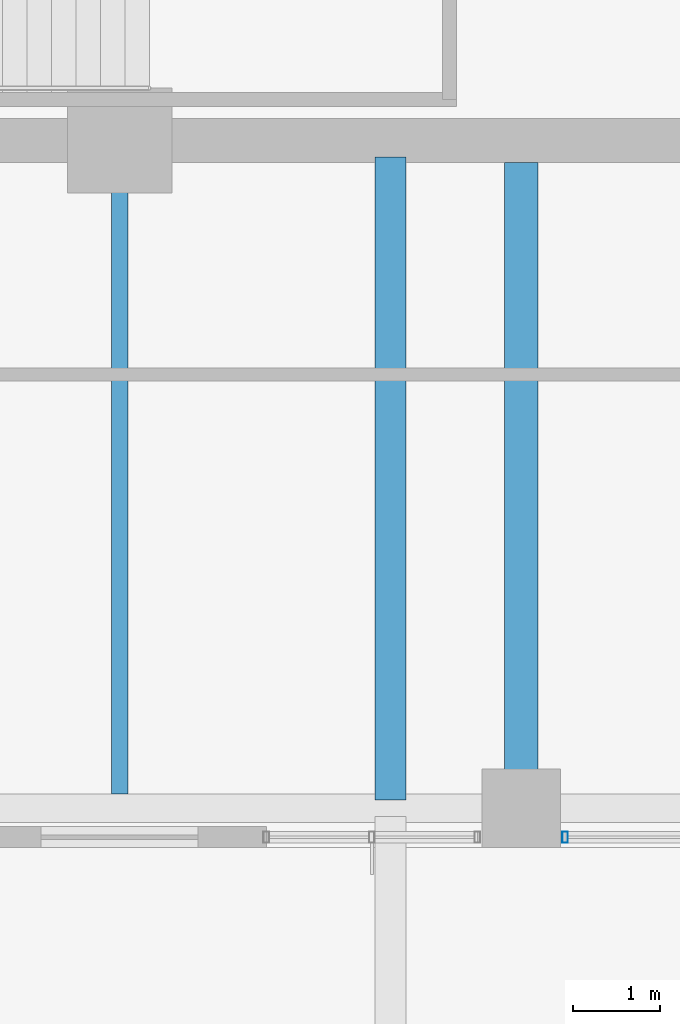
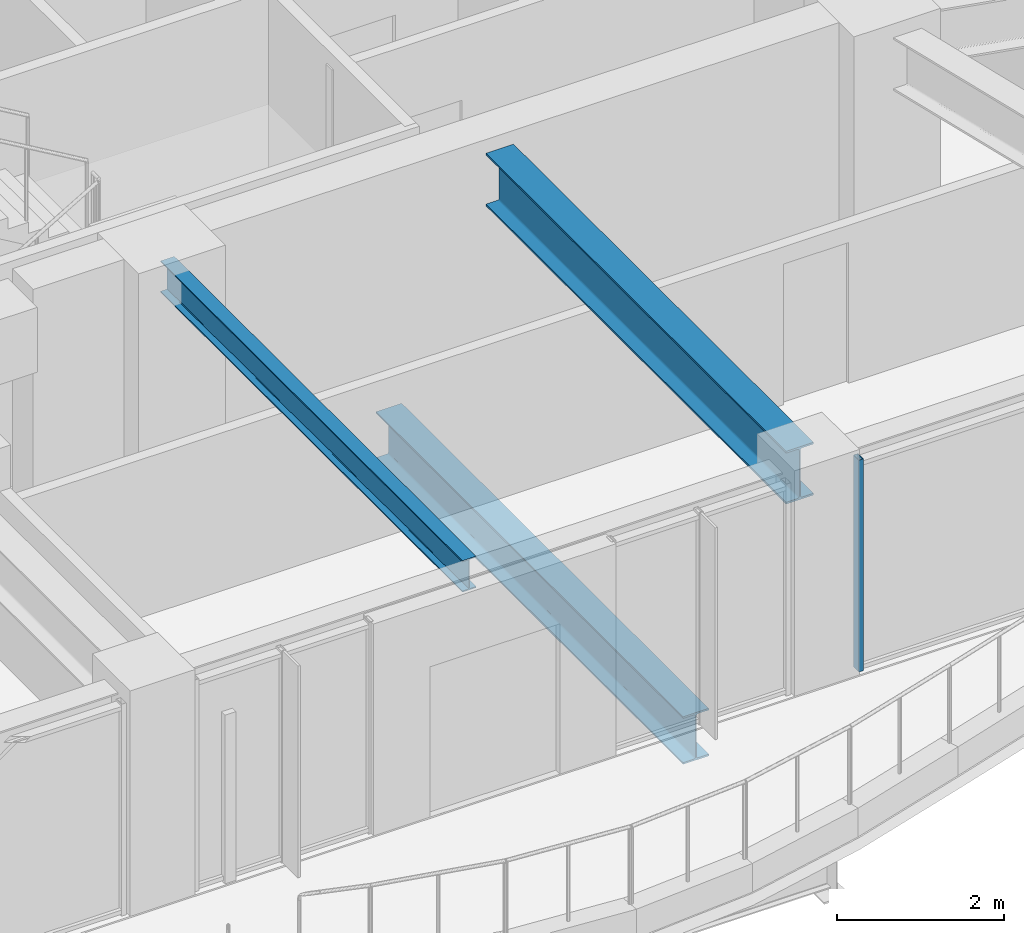
# One storey, part 7 of 31: 3 beams, 1 member, 1 element without a shape of its own.
"""IFC4 building model written with IfcOpenShell, lengths in metres."""

from ifc_helpers import new_model, si_unit, direction, frame, origin, origin_2d, place, context, subcontext, project, spatial, hollow_rectangle, i_section, extrude, material, material_profile, profile_set, type_object, element, aggregate, save


model = new_model("IFC4")

# Units and contexts
model_context = context("Model", 3, precision=1e-05, world=origin(), true_north=direction((0.0, 1.0)))
body_context = subcontext(model_context, "Body", "Model", "MODEL_VIEW")
ifc_project = project(units=[si_unit("LENGTHUNIT", "METRE"), si_unit("AREAUNIT", "SQUARE_METRE"), si_unit("VOLUMEUNIT", "CUBIC_METRE"), si_unit("PLANEANGLEUNIT", "RADIAN"), si_unit("MASSUNIT", "GRAM", prefix="KILO")], contexts=[model_context])

# Site, building, storey
site_placement = place(None, origin())
site = spatial("IfcSite", under=ifc_project, at=site_placement, CompositionType="ELEMENT")
building_placement = place(site_placement, origin())
building = spatial("IfcBuilding", under=site, at=building_placement, Name="Kolvaren Belvedere", CompositionType="ELEMENT")
storey_placement = place(building_placement, frame((0.0, 0.0, 134.89990234375)))
storey = spatial("IfcBuildingStorey", under=building, at=storey_placement, Name="L39", CompositionType="ELEMENT", Elevation=134.89990234375)

# Beams
ifc_material_1 = material(Name="Structural steel ASTM A992 Grade 50", Category="steel")
ifc_material_profile_1 = material_profile(ifc_material_1, i_section(OverallWidth=0.35498046875, OverallDepth=0.696044921875, WebThickness=0.015380859375, FlangeThickness=0.02490234375, FilletRadius=0.02197265625, at=origin_2d()), Name="W27X146")
ifc_profile_set_1 = profile_set([ifc_material_profile_1], Name="Structural steel ASTM A992 Grade 50")
beam_type_1 = type_object("IfcBeamType", Name="BM-GIRD-W27X146", PredefinedType="BEAM", material=ifc_profile_set_1)
beam_1_placement = place(storey_placement, frame((3.10009765625, -10.090087890625, -0.5478515625), z_axis=(0.0, -1.0, 0.0), x_axis=(1.0, 0.0, 0.0)))
element("IfcBeam", 1, at=beam_1_placement, inside=storey, type_object=beam_type_1, Name="L39 Balcony Interior Back-Span Girder BAL-S-2", PredefinedType="BEAM", context=body_context, shape_type="SweptSolid", body=[
    extrude(i_section(OverallWidth=0.35498046875, OverallDepth=0.696044921875, WebThickness=0.015380859375, FlangeThickness=0.02490234375, FilletRadius=0.02197265625, at=origin_2d()), origin(), (0.0, 0.0, 1.0), 7.364990234375),
])
ifc_material_2 = material(Name="Structural steel ASTM A992 Grade 50", Category="steel")
ifc_material_profile_2 = material_profile(ifc_material_2, i_section(OverallWidth=0.381103515625, OverallDepth=0.77294921875, WebThickness=0.0166015625, FlangeThickness=0.027099609375, FilletRadius=0.02392578125, at=origin_2d()), Name="W30X173")
ifc_profile_set_2 = profile_set([ifc_material_profile_2], Name="Structural steel ASTM A992 Grade 50")
beam_type_2 = type_object("IfcBeamType", Name="BM-GIRD-W30X173", PredefinedType="BEAM", material=ifc_profile_set_2)
beam_2_placement = place(storey_placement, frame((4.60009765625, -10.14990234375, 2.713623046875), z_axis=(0.0, -1.0, 0.0), x_axis=(1.0, 0.0, 0.0)))
element("IfcBeam", 2, at=beam_2_placement, inside=storey, type_object=beam_type_2, Name="L39 South Radial Girder P", PredefinedType="BEAM", context=body_context, shape_type="SweptSolid", body=[
    extrude(i_section(OverallWidth=0.381103515625, OverallDepth=0.77294921875, WebThickness=0.0166015625, FlangeThickness=0.027099609375, FilletRadius=0.02392578125, at=origin_2d()), origin(), (0.0, 0.0, 1.0), 7.197509765625),
])
ifc_material_3 = material(Name="Structural steel ASTM A992 Grade 50", Category="steel")
ifc_material_profile_3 = material_profile(ifc_material_3, i_section(OverallWidth=0.19091796875, OverallDepth=0.4599609375, WebThickness=0.010009765625, FlangeThickness=0.01611328125, FilletRadius=0.014892578125, at=origin_2d()), Name="W18X55")
ifc_profile_set_3 = profile_set([ifc_material_profile_3], Name="Structural steel ASTM A992 Grade 50")
beam_type_3 = type_object("IfcBeamType", Name="BM-JOIST-W18X55", PredefinedType="BEAM", material=ifc_profile_set_3)
beam_3_placement = place(storey_placement, frame((0.0, -10.14990234375, 2.8701171875), z_axis=(0.0, -1.0, 0.0), x_axis=(1.0, 0.0, 0.0)))
element("IfcBeam", 3, at=beam_3_placement, inside=storey, type_object=beam_type_3, Name="L39 South Centre Floor Beam", PredefinedType="BEAM", context=body_context, shape_type="SweptSolid", body=[
    extrude(i_section(OverallWidth=0.19091796875, OverallDepth=0.4599609375, WebThickness=0.010009765625, FlangeThickness=0.01611328125, FilletRadius=0.014892578125, at=origin_2d()), origin(), (0.0, 0.0, 1.0), 7.237548828125),
])

# Curtain wall, member
ifc_material_4 = material(Name="Anodised pale-metal aluminium AA 6063-T6", Category="aluminium")
curtain_wall_type = type_object("IfcCurtainWallType", Name="CW-Z3-WAIST", PredefinedType="NOTDEFINED", material=ifc_material_4)
curtain_wall_placement = place(storey_placement, origin())
curtain_wall = element("IfcCurtainWall", 4, at=curtain_wall_placement, inside=storey, type_object=curtain_wall_type, Name="L39 Unitised Curtain Wall FCW-L39-S1-B1", PredefinedType="NOTDEFINED")
ifc_material_5 = material(Name="Anodised pale-metal aluminium AA 6063-T6", Category="aluminium")
ifc_material_profile_4 = material_profile(ifc_material_5, hollow_rectangle(XDim=0.06494140625, YDim=0.1298828125, WallThickness=0.00390625, at=origin_2d()), Name="ALU-MUL-130X65")
ifc_profile_set_4 = profile_set([ifc_material_profile_4], Name="Anodised pale-metal aluminium AA 6063-T6")
member_type = type_object("IfcMemberType", Name="CW-MUL-130", PredefinedType="MULLION", material=ifc_profile_set_4)
member_placement = place(storey_placement, frame((5.1025390625, -17.8798828125, 0.0), z_axis=(0.0, 0.0, 1.0), x_axis=(1.0, 0.0, 0.0)))
member = element("IfcMember", 5, at=member_placement, type_object=member_type, Name="FCW-L39-S1-B1 Unitised Mullion 3", PredefinedType="MULLION", context=body_context, shape_type="SweptSolid", body=[
    extrude(hollow_rectangle(XDim=0.06494140625, YDim=0.1298828125, WallThickness=0.00390625, at=origin_2d()), origin(), (0.0, 0.0, 1.0), 3.10009765625),
])
aggregate(curtain_wall, [member])

save(model, "model.ifc")
